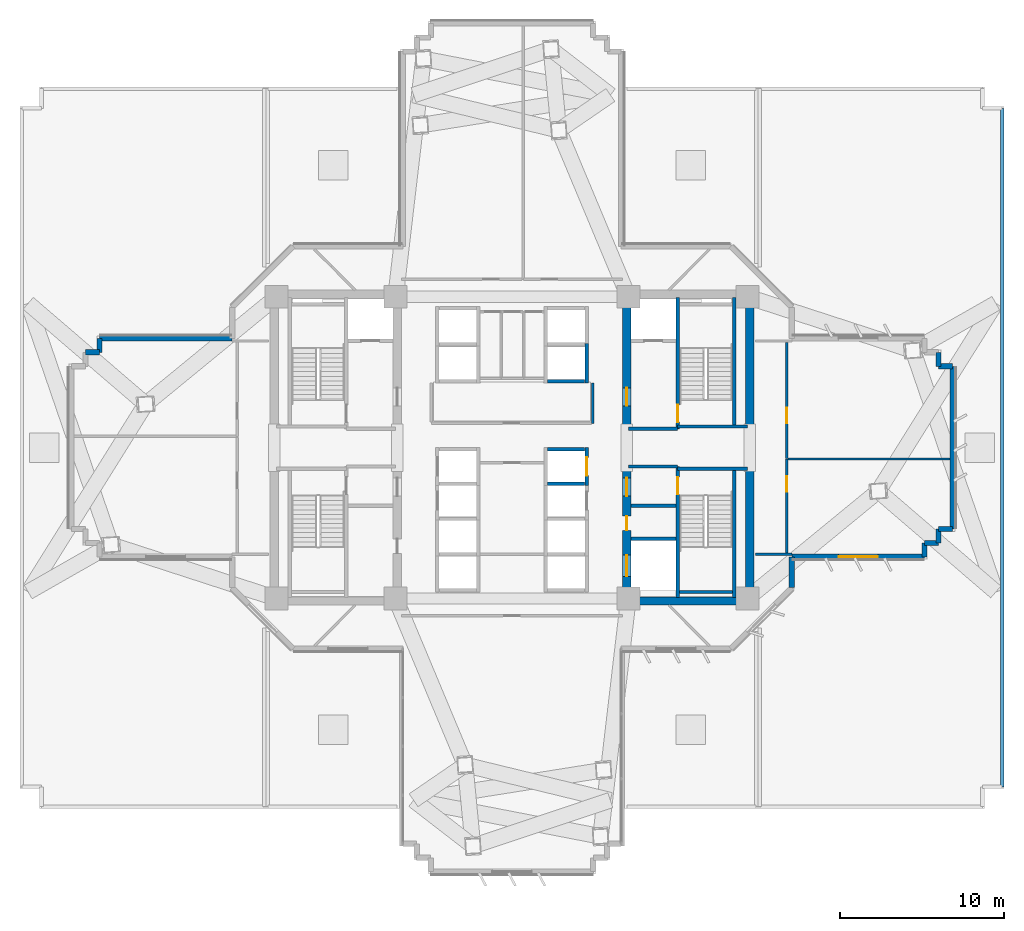
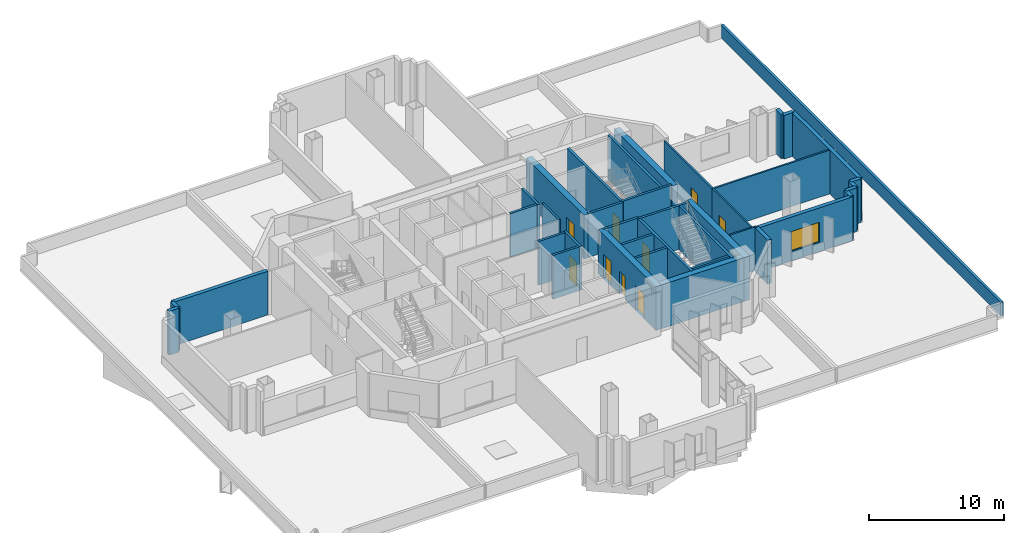
# One storey, part 9 of 15: 39 walls, 9 doors, 1 window, 10 openings.
"""IFC4 building model written with IfcOpenShell, lengths in metres."""

from ifc_helpers import new_model, si_unit, direction, frame, frame_2d, origin, place, context, subcontext, project, spatial, rectangle, extrude, source, transform, mapped, material, layer, layer_set, type_object, element, fill, save


model = new_model("IFC4")

# Units and contexts
model_context = context("Model", 3, precision=1e-05, world=origin(), true_north=direction((0.0, 1.0)))
body_context = subcontext(model_context, "Body", "Model", "MODEL_VIEW")
ifc_project = project(units=[si_unit("LENGTHUNIT", "METRE"), si_unit("AREAUNIT", "SQUARE_METRE"), si_unit("VOLUMEUNIT", "CUBIC_METRE"), si_unit("PLANEANGLEUNIT", "RADIAN"), si_unit("MASSUNIT", "GRAM", prefix="KILO")], contexts=[model_context])

# Site, building, storey
site_placement = place(None, origin())
site = spatial("IfcSite", under=ifc_project, at=site_placement, CompositionType="ELEMENT")
building_placement = place(site_placement, origin())
building = spatial("IfcBuilding", under=site, at=building_placement, Name="Zahravan Cultural Tower", CompositionType="ELEMENT")
storey_placement = place(building_placement, frame((0.0, 0.0, 29.10009765625)))
storey = spatial("IfcBuildingStorey", under=building, at=storey_placement, Name="L05", CompositionType="ELEMENT", Elevation=29.10009765625)

# Wall, openings, doors
ifc_material_1 = material(Name="Concrete C60/75", Category="concrete")
ifc_layer_1 = layer(ifc_material_1, 0.5)
ifc_layer_set_1 = layer_set([ifc_layer_1], Name="Concrete C60/75")
wall_type_1 = type_object("IfcWallType", Name="CW-SHEAR-500-C60", PredefinedType="SHEAR", material=ifc_layer_set_1)
wall_1_placement = place(storey_placement, frame((43.0, 17.39990234375, 0.0), z_axis=(0.0, 0.0, 1.0), x_axis=(0.0, 1.0, 0.0)))
wall_1 = element("IfcWall", 1, at=wall_1_placement, inside=storey, type_object=wall_type_1, Name="L05 Core Shear Wall CW-E-WS-L05", PredefinedType="SHEAR", context=body_context, shape_type="SweptSolid", body=[
    extrude(rectangle(XDim=8.550048828125, YDim=0.5, at=frame_2d((4.27490234375, 0.0))), origin(), (0.0, 0.0, 1.0), 3.949951171875),
])
opening_1_placement = place(wall_1_placement, frame((6.64990234375, 0.0, 0.0)))
opening_1 = element("IfcOpeningElement", 2, at=opening_1_placement, cuts=wall_1, Name="Opening D-L05-08", PredefinedType="OPENING", context=body_context, shape_type="SweptSolid", body=[
    extrude(rectangle(XDim=1.10009765625, YDim=2.199951171875, at=frame_2d((0.550048828125, 1.10009765625))), frame((0.0, 0.260009765625, 0.0), z_axis=(0.0, -1.0, 0.0), x_axis=(1.0, 0.0, 0.0)), (0.0, 0.0, 1.0), 0.52001953125),
])
opening_2_placement = place(wall_1_placement, frame((1.75, 0.0, 0.0)))
opening_2 = element("IfcOpeningElement", 3, at=opening_2_placement, cuts=wall_1, Name="Opening LD-L05-03", PredefinedType="OPENING", context=body_context, shape_type="SweptSolid", body=[
    extrude(rectangle(XDim=1.300048828125, YDim=2.199951171875, at=frame_2d((0.64990234375, 1.10009765625))), frame((0.0, 0.260009765625, 0.0), z_axis=(0.0, -1.0, 0.0), x_axis=(1.0, 0.0, 0.0)), (0.0, 0.0, 1.0), 0.52001953125),
])
opening_3_placement = place(wall_1_placement, frame((4.550048828125, 0.0, 0.0)))
opening_3 = element("IfcOpeningElement", 4, at=opening_3_placement, cuts=wall_1, Name="Opening D-L05-10", PredefinedType="OPENING", context=body_context, shape_type="SweptSolid", body=[
    extrude(rectangle(XDim=0.8798828125, YDim=2.10009765625, at=frame_2d((0.43994140625, 1.050048828125))), frame((0.0, 0.260009765625, 0.0), z_axis=(0.0, -1.0, 0.0), x_axis=(1.0, 0.0, 0.0)), (0.0, 0.0, 1.0), 0.52001953125),
])
ifc_material_2 = material(Name="Steel ASTM A572 Grade 50", Category="steel")
door_type_1 = type_object("IfcDoorType", Name="DR-LOBBY-1100", OperationType="NOTDEFINED", PredefinedType="DOOR", material=ifc_material_2)
shared_shape_1 = source(origin(), body_context, "Body", "SweptSolid", [
    extrude(rectangle(XDim=1.10009765625, YDim=2.199951171875, at=frame_2d((0.550048828125, 1.10009765625))), frame((0.0, 0.02490234375, 0.0), z_axis=(0.0, -1.0, 0.0), x_axis=(1.0, 0.0, 0.0)), (0.0, 0.0, 1.0), 0.050048828125),
])
door_1_placement = place(opening_1_placement, origin())
door_1 = element("IfcDoor", 5, at=door_1_placement, inside=storey, type_object=door_type_1, Name="L05 Door D-L05-08", OperationType="SINGLE_SWING_LEFT", OverallHeight=2.199951171875, OverallWidth=1.10009765625, PredefinedType="DOOR", context=body_context, shape_type="MappedRepresentation", body=[
    mapped(shared_shape_1, transform((0.0, 0.0, 0.0), x_axis=(1.0, 0.0, 0.0), y_axis=(0.0, 1.0, 0.0), z_axis=(0.0, 0.0, 1.0), scale=1.0)),
])
fill(opening_1, door_1)
door_type_2 = type_object("IfcDoorType", Name="DR-LIFT-1300", OperationType="DOUBLE_DOOR_SLIDING", PredefinedType="DOOR", material=ifc_material_2)
shared_shape_2 = source(origin(), body_context, "Body", "SweptSolid", [
    extrude(rectangle(XDim=1.300048828125, YDim=2.199951171875, at=frame_2d((0.64990234375, 1.10009765625))), frame((0.0, 0.02490234375, 0.0), z_axis=(0.0, -1.0, 0.0), x_axis=(1.0, 0.0, 0.0)), (0.0, 0.0, 1.0), 0.050048828125),
])
door_2_placement = place(opening_2_placement, origin())
door_2 = element("IfcDoor", 6, at=door_2_placement, inside=storey, type_object=door_type_2, Name="L05 Door LD-L05-03", OperationType="DOUBLE_DOOR_SLIDING", OverallHeight=2.199951171875, OverallWidth=1.300048828125, PredefinedType="DOOR", context=body_context, shape_type="MappedRepresentation", body=[
    mapped(shared_shape_2, transform((0.0, 0.0, 0.0), x_axis=(1.0, 0.0, 0.0), y_axis=(0.0, 1.0, 0.0), z_axis=(0.0, 0.0, 1.0), scale=1.0)),
])
fill(opening_2, door_2)
door_type_3 = type_object("IfcDoorType", Name="DR-SVC-880", OperationType="NOTDEFINED", PredefinedType="DOOR", material=ifc_material_2)
shared_shape_3 = source(origin(), body_context, "Body", "SweptSolid", [
    extrude(rectangle(XDim=0.8798828125, YDim=2.10009765625, at=frame_2d((0.43994140625, 1.050048828125))), frame((0.0, 0.02490234375, 0.0), z_axis=(0.0, -1.0, 0.0), x_axis=(1.0, 0.0, 0.0)), (0.0, 0.0, 1.0), 0.050048828125),
])
door_3_placement = place(opening_3_placement, origin())
door_3 = element("IfcDoor", 7, at=door_3_placement, inside=storey, type_object=door_type_3, Name="L05 Door D-L05-10", OperationType="SINGLE_SWING_LEFT", OverallHeight=2.10009765625, OverallWidth=0.8798828125, PredefinedType="DOOR", context=body_context, shape_type="MappedRepresentation", body=[
    mapped(shared_shape_3, transform((0.0, 0.0, 0.0), x_axis=(1.0, 0.0, 0.0), y_axis=(0.0, 1.0, 0.0), z_axis=(0.0, 0.0, 1.0), scale=1.0)),
])
fill(opening_3, door_3)

# Wall, opening, door
wall_2_placement = place(storey_placement, frame((43.0, 28.050048828125, 0.0), z_axis=(0.0, 0.0, 1.0), x_axis=(0.0, 1.0, 0.0)))
wall_2 = element("IfcWall", 8, at=wall_2_placement, inside=storey, type_object=wall_type_1, Name="L05 Core Shear Wall CW-E-WN-L05", PredefinedType="SHEAR", context=body_context, shape_type="SweptSolid", body=[
    extrude(rectangle(XDim=8.550048828125, YDim=0.5, at=frame_2d((4.27490234375, 0.0))), origin(), (0.0, 0.0, 1.0), 3.949951171875),
])
opening_4_placement = place(wall_2_placement, frame((1.5, 0.0, 0.0)))
opening_4 = element("IfcOpeningElement", 9, at=opening_4_placement, cuts=wall_2, Name="Opening D-L05-06", PredefinedType="OPENING", context=body_context, shape_type="SweptSolid", body=[
    extrude(rectangle(XDim=1.10009765625, YDim=2.199951171875, at=frame_2d((0.550048828125, 1.10009765625))), frame((0.0, 0.260009765625, 0.0), z_axis=(0.0, -1.0, 0.0), x_axis=(1.0, 0.0, 0.0)), (0.0, 0.0, 1.0), 0.52001953125),
])
door_4_placement = place(opening_4_placement, origin())
door_4 = element("IfcDoor", 10, at=door_4_placement, inside=storey, type_object=door_type_1, Name="L05 Door D-L05-06", OperationType="SINGLE_SWING_LEFT", OverallHeight=2.199951171875, OverallWidth=1.10009765625, PredefinedType="DOOR", context=body_context, shape_type="MappedRepresentation", body=[
    mapped(shared_shape_1, transform((0.0, 0.0, 0.0), x_axis=(1.0, 0.0, 0.0), y_axis=(0.0, 1.0, 0.0), z_axis=(0.0, 0.0, 1.0), scale=1.0)),
])
fill(opening_4, door_4)

# Wall, opening, window
ifc_material_3 = material(Name="Precast concrete C40/50", Category="concrete")
ifc_layer_2 = layer(ifc_material_3, 0.320068359375)
ifc_layer_set_2 = layer_set([ifc_layer_2], Name="Precast concrete C40/50")
wall_type_2 = type_object("IfcWallType", Name="EW-TC-320", PredefinedType="SOLIDWALL", material=ifc_layer_set_2)
wall_3_placement = place(storey_placement, frame((61.159912109375, 20.340087890625, 0.0), z_axis=(0.0, 0.0, 1.0), x_axis=(-1.0, 0.0, 0.0)))
wall_3 = element("IfcWall", 11, at=wall_3_placement, inside=storey, type_object=wall_type_2, Name="L05 Exterior Masonry Frame Wall 11", PredefinedType="SOLIDWALL", context=body_context, shape_type="SweptSolid", body=[
    extrude(rectangle(XDim=8.099853515625, YDim=0.320068359375, at=frame_2d((4.0498046875, 0.0))), origin(), (0.0, 0.0, 1.0), 3.949951171875),
])
opening_5_placement = place(wall_3_placement, frame((2.85009765625, 0.0, 0.85009765625)))
opening_5 = element("IfcOpeningElement", 12, at=opening_5_placement, cuts=wall_3, Name="Opening WN-01", PredefinedType="OPENING", context=body_context, shape_type="SweptSolid", body=[
    extrude(rectangle(XDim=2.39990234375, YDim=1.800048828125, at=frame_2d((1.199951171875, 0.89990234375))), frame((0.0, 0.169921875, 0.0), z_axis=(0.0, -1.0, 0.0), x_axis=(1.0, 0.0, 0.0)), (0.0, 0.0, 1.0), 0.340087890625),
])
ifc_material_4 = material(Name="Low-E solar-control double glazing", Category="glass")
window_type = type_object("IfcWindowType", Name="WN-REC-2400X1800", PartitioningType="DOUBLE_PANEL_VERTICAL", PredefinedType="WINDOW", material=ifc_material_4)
shared_shape_4 = source(origin(), body_context, "Body", "SweptSolid", [
    extrude(rectangle(XDim=2.39990234375, YDim=1.800048828125, at=frame_2d((1.199951171875, 0.89990234375))), frame((0.0, 0.030029296875, 0.0), z_axis=(0.0, -1.0, 0.0), x_axis=(1.0, 0.0, 0.0)), (0.0, 0.0, 1.0), 0.06005859375),
])
window_placement = place(opening_5_placement, origin())
window = element("IfcWindow", 13, at=window_placement, inside=storey, type_object=window_type, Name="L05 Recessed Solar Window 02", OverallHeight=1.800048828125, OverallWidth=2.39990234375, PartitioningType="DOUBLE_PANEL_VERTICAL", PredefinedType="WINDOW", context=body_context, shape_type="MappedRepresentation", body=[
    mapped(shared_shape_4, transform((0.0, 0.0, 0.0), x_axis=(1.0, 0.0, 0.0), y_axis=(0.0, 1.0, 0.0), z_axis=(0.0, 0.0, 1.0), scale=1.0)),
])
fill(opening_5, window)

# Wall, opening, door
ifc_material_5 = material(Name="Gypsum plasterboard partition")
ifc_layer_3 = layer(ifc_material_5, 0.139892578125)
ifc_layer_set_3 = layer_set([ifc_layer_3], Name="Gypsum plasterboard partition")
wall_type_3 = type_object("IfcWallType", Name="W-PART-140", PredefinedType="PARTITIONING", material=ifc_layer_set_3)
wall_4_placement = place(storey_placement, frame((52.75, 20.574951171875, 0.0), z_axis=(0.0, 0.0, 1.0), x_axis=(0.0, 1.0, 0.0)))
wall_4 = element("IfcWall", 14, at=wall_4_placement, inside=storey, type_object=wall_type_3, Name="L05 Interior Wall 085", PredefinedType="PARTITIONING", context=body_context, shape_type="SweptSolid", body=[
    extrude(rectangle(XDim=5.735107421875, YDim=0.139892578125, at=frame_2d((2.86767578125, 0.0))), origin(), (0.0, 0.0, 1.0), 3.949951171875),
])
opening_6_placement = place(wall_4_placement, frame((3.732421875, 0.0, 0.0)))
opening_6 = element("IfcOpeningElement", 15, at=opening_6_placement, cuts=wall_4, Name="Opening D-L05-16", PredefinedType="OPENING", context=body_context, shape_type="SweptSolid", body=[
    extrude(rectangle(XDim=0.949951171875, YDim=2.14990234375, at=frame_2d((0.47509765625, 1.074951171875))), frame((0.0, 0.079833984375, 0.0), z_axis=(0.0, -1.0, 0.0), x_axis=(1.0, 0.0, 0.0)), (0.0, 0.0, 1.0), 0.159912109375),
])
ifc_material_6 = material(Name="Anodised bronze-aluminium mullion", Category="aluminium")
door_type_4 = type_object("IfcDoorType", Name="DR-ROOM-950", OperationType="NOTDEFINED", PredefinedType="DOOR", material=ifc_material_6)
shared_shape_5 = source(origin(), body_context, "Body", "SweptSolid", [
    extrude(rectangle(XDim=0.949951171875, YDim=2.14990234375, at=frame_2d((0.47509765625, 1.074951171875))), frame((0.0, 0.02490234375, 0.0), z_axis=(0.0, -1.0, 0.0), x_axis=(1.0, 0.0, 0.0)), (0.0, 0.0, 1.0), 0.050048828125),
])
door_5_placement = place(opening_6_placement, origin())
door_5 = element("IfcDoor", 16, at=door_5_placement, inside=storey, type_object=door_type_4, Name="L05 Door D-L05-16", OperationType="SINGLE_SWING_LEFT", OverallHeight=2.14990234375, OverallWidth=0.949951171875, PredefinedType="DOOR", context=body_context, shape_type="MappedRepresentation", body=[
    mapped(shared_shape_5, transform((0.0, 0.0, 0.0), x_axis=(1.0, 0.0, 0.0), y_axis=(0.0, 1.0, 0.0), z_axis=(0.0, 0.0, 1.0), scale=1.0)),
])
fill(opening_6, door_5)

wall_5_placement = place(storey_placement, frame((52.75, 26.330078125, 0.0), z_axis=(0.0, 0.0, 1.0), x_axis=(-0.000137660459, 0.999999990525, 0.0)))
wall_5 = element("IfcWall", 17, at=wall_5_placement, inside=storey, type_object=wall_type_3, Name="L05 Interior Wall 090", PredefinedType="PARTITIONING", context=body_context, shape_type="SweptSolid", body=[
    extrude(rectangle(XDim=7.093994140625, YDim=0.139892578125, at=frame_2d((3.546875, 0.0))), origin(), (0.0, 0.0, 1.0), 3.949951171875),
])
opening_7_placement = place(wall_5_placement, frame((2.150390625, 0.0, 0.0)))
opening_7 = element("IfcOpeningElement", 18, at=opening_7_placement, cuts=wall_5, Name="Opening D-L05-17", PredefinedType="OPENING", context=body_context, shape_type="SweptSolid", body=[
    extrude(rectangle(XDim=0.949951171875, YDim=2.14990234375, at=frame_2d((0.47509765625, 1.074951171875))), frame((0.0, 0.079833984375, 0.0), z_axis=(0.0, -1.0, 0.0), x_axis=(1.0, 0.0, 0.0)), (0.0, 0.0, 1.0), 0.159912109375),
])
door_6_placement = place(opening_7_placement, origin())
door_6 = element("IfcDoor", 19, at=door_6_placement, inside=storey, type_object=door_type_4, Name="L05 Door D-L05-17", OperationType="SINGLE_SWING_RIGHT", OverallHeight=2.14990234375, OverallWidth=0.949951171875, PredefinedType="DOOR", context=body_context, shape_type="MappedRepresentation", body=[
    mapped(shared_shape_5, transform((0.0, 0.0, 0.0), x_axis=(1.0, 0.0, 0.0), y_axis=(0.0, 1.0, 0.0), z_axis=(0.0, 0.0, 1.0), scale=1.0)),
])
fill(opening_7, door_6)

ifc_material_7 = material(Name="Concrete C45/55", Category="concrete")
ifc_layer_4 = layer(ifc_material_7, 0.199951171875)
ifc_layer_set_4 = layer_set([ifc_layer_4], Name="Concrete C45/55")
wall_type_4 = type_object("IfcWallType", Name="W-SHAFT-200", PredefinedType="SOLIDWALL", material=ifc_layer_set_4)
wall_6_placement = place(storey_placement, frame((46.10009765625, 17.85009765625, 0.0), z_axis=(0.0, 0.0, 1.0), x_axis=(0.0, 1.0, 0.0)))
wall_6 = element("IfcWall", 20, at=wall_6_placement, inside=storey, type_object=wall_type_4, Name="L05 Interior Wall 007", PredefinedType="SOLIDWALL", context=body_context, shape_type="SweptSolid", body=[
    extrude(rectangle(XDim=8.0, YDim=0.199951171875, at=frame_2d((4.0, 0.0))), origin(), (0.0, 0.0, 1.0), 3.949951171875),
])
opening_8_placement = place(wall_6_placement, frame((6.300048828125, 0.0, 0.0)))
opening_8 = element("IfcOpeningElement", 21, at=opening_8_placement, cuts=wall_6, Name="Opening D-L05-03", PredefinedType="OPENING", context=body_context, shape_type="SweptSolid", body=[
    extrude(rectangle(XDim=1.050048828125, YDim=2.14990234375, at=frame_2d((0.52490234375, 1.074951171875))), frame((0.0, 0.10986328125, 0.0), z_axis=(0.0, -1.0, 0.0), x_axis=(1.0, 0.0, 0.0)), (0.0, 0.0, 1.0), 0.219970703125),
])
door_type_5 = type_object("IfcDoorType", Name="DR-STAIR-1050", OperationType="NOTDEFINED", PredefinedType="DOOR", material=ifc_material_2)
shared_shape_6 = source(origin(), body_context, "Body", "SweptSolid", [
    extrude(rectangle(XDim=1.050048828125, YDim=2.14990234375, at=frame_2d((0.52490234375, 1.074951171875))), frame((0.0, 0.02490234375, 0.0), z_axis=(0.0, -1.0, 0.0), x_axis=(1.0, 0.0, 0.0)), (0.0, 0.0, 1.0), 0.050048828125),
])
door_7_placement = place(opening_8_placement, origin())
door_7 = element("IfcDoor", 22, at=door_7_placement, inside=storey, type_object=door_type_5, Name="L05 Door D-L05-03", OperationType="SINGLE_SWING_RIGHT", OverallHeight=2.14990234375, OverallWidth=1.050048828125, PredefinedType="DOOR", context=body_context, shape_type="MappedRepresentation", body=[
    mapped(shared_shape_6, transform((0.0, 0.0, 0.0), x_axis=(1.0, 0.0, 0.0), y_axis=(0.0, 1.0, 0.0), z_axis=(0.0, 0.0, 1.0), scale=1.0)),
])
fill(opening_8, door_7)

wall_7_placement = place(storey_placement, frame((46.10009765625, 28.14990234375, 0.0), z_axis=(0.0, 0.0, 1.0), x_axis=(0.0, 1.0, 0.0)))
wall_7 = element("IfcWall", 23, at=wall_7_placement, inside=storey, type_object=wall_type_4, Name="L05 Interior Wall 008", PredefinedType="SOLIDWALL", context=body_context, shape_type="SweptSolid", body=[
    extrude(rectangle(XDim=8.0, YDim=0.199951171875, at=frame_2d((4.0, 0.0))), origin(), (0.0, 0.0, 1.0), 3.949951171875),
])
opening_9_placement = place(wall_7_placement, frame((0.39990234375, 0.0, 0.0)))
opening_9 = element("IfcOpeningElement", 24, at=opening_9_placement, cuts=wall_7, Name="Opening D-L05-02", PredefinedType="OPENING", context=body_context, shape_type="SweptSolid", body=[
    extrude(rectangle(XDim=1.050048828125, YDim=2.14990234375, at=frame_2d((0.52490234375, 1.074951171875))), frame((0.0, 0.10986328125, 0.0), z_axis=(0.0, -1.0, 0.0), x_axis=(1.0, 0.0, 0.0)), (0.0, 0.0, 1.0), 0.219970703125),
])
door_8_placement = place(opening_9_placement, origin())
door_8 = element("IfcDoor", 25, at=door_8_placement, inside=storey, type_object=door_type_5, Name="L05 Door D-L05-02", OperationType="SINGLE_SWING_LEFT", OverallHeight=2.14990234375, OverallWidth=1.050048828125, PredefinedType="DOOR", context=body_context, shape_type="MappedRepresentation", body=[
    mapped(shared_shape_6, transform((0.0, 0.0, 0.0), x_axis=(1.0, 0.0, 0.0), y_axis=(0.0, 1.0, 0.0), z_axis=(0.0, 0.0, 1.0), scale=1.0)),
])
fill(opening_9, door_8)

wall_8_placement = place(storey_placement, frame((40.550048828125, 24.699951171875, 0.0), z_axis=(0.0, 0.0, 1.0), x_axis=(0.0, 1.0, 0.0)))
wall_8 = element("IfcWall", 26, at=wall_8_placement, inside=storey, type_object=wall_type_4, Name="L05 Interior Wall 061", PredefinedType="SOLIDWALL", context=body_context, shape_type="SweptSolid", body=[
    extrude(rectangle(XDim=2.300048828125, YDim=0.199951171875, at=frame_2d((1.14990234375, 0.0))), origin(), (0.0, 0.0, 1.0), 3.949951171875),
])
opening_10_placement = place(wall_8_placement, frame((0.60009765625, 0.0, 0.0)))
opening_10 = element("IfcOpeningElement", 27, at=opening_10_placement, cuts=wall_8, Name="Opening LD-L05-06", PredefinedType="OPENING", context=body_context, shape_type="SweptSolid", body=[
    extrude(rectangle(XDim=1.10009765625, YDim=2.14990234375, at=frame_2d((0.550048828125, 1.074951171875))), frame((0.0, 0.10986328125, 0.0), z_axis=(0.0, -1.0, 0.0), x_axis=(1.0, 0.0, 0.0)), (0.0, 0.0, 1.0), 0.219970703125),
])
door_type_6 = type_object("IfcDoorType", Name="DR-LIFT-1100", OperationType="DOUBLE_DOOR_SLIDING", PredefinedType="DOOR", material=ifc_material_2)
shared_shape_7 = source(origin(), body_context, "Body", "SweptSolid", [
    extrude(rectangle(XDim=1.10009765625, YDim=2.14990234375, at=frame_2d((0.550048828125, 1.074951171875))), frame((0.0, 0.02490234375, 0.0), z_axis=(0.0, -1.0, 0.0), x_axis=(1.0, 0.0, 0.0)), (0.0, 0.0, 1.0), 0.050048828125),
])
door_9_placement = place(opening_10_placement, origin())
door_9 = element("IfcDoor", 28, at=door_9_placement, inside=storey, type_object=door_type_6, Name="L05 Door LD-L05-06", OperationType="DOUBLE_DOOR_SLIDING", OverallHeight=2.14990234375, OverallWidth=1.10009765625, PredefinedType="DOOR", context=body_context, shape_type="MappedRepresentation", body=[
    mapped(shared_shape_7, transform((0.0, 0.0, 0.0), x_axis=(1.0, 0.0, 0.0), y_axis=(0.0, 1.0, 0.0), z_axis=(0.0, 0.0, 1.0), scale=1.0)),
])
fill(opening_10, door_9)

# Walls
shared_shape_8 = source(origin(), body_context, "Body", "SweptSolid", [
    extrude(rectangle(XDim=8.550048828125, YDim=0.5, at=frame_2d((4.27490234375, 0.0))), origin(), (0.0, 0.0, 1.0), 3.949951171875),
])
for number, where, z_axis, x_axis, name in (
    (29, (50.5, 17.39990234375, 0.0), (0.0, 0.0, 1.0), (0.0, 1.0, 0.0), "L05 Core Shear Wall CW-E-ES-L05"),
    (30, (50.5, 28.050048828125, 0.0), (0.0, 0.0, 1.0), (0.0, 1.0, 0.0), "L05 Core Shear Wall CW-E-EN-L05"),
):
    element("IfcWall", number, at=place(storey_placement, frame(where, z_axis=z_axis, x_axis=x_axis)), inside=storey, type_object=wall_type_1, Name=name, PredefinedType="SHEAR", context=body_context, shape_type="MappedRepresentation", body=[
        mapped(shared_shape_8, transform((0.0, 0.0, 0.0), x_axis=(1.0, 0.0, 0.0), y_axis=(0.0, 1.0, 0.0), z_axis=(0.0, 0.0, 1.0), scale=1.0)),
    ])
shared_shape_9 = source(origin(), body_context, "Body", "SweptSolid", [
    extrude(rectangle(XDim=7.0, YDim=0.5, at=frame_2d((3.5, 0.0))), origin(), (0.0, 0.0, 1.0), 3.949951171875),
])
wall_9_placement = place(storey_placement, frame((43.25, 17.64990234375, 0.0), z_axis=(0.0, 0.0, 1.0), x_axis=(1.0, 0.0, 0.0)))
element("IfcWall", 31, at=wall_9_placement, inside=storey, type_object=wall_type_1, Name="L05 Core Shear Wall CW-E-S-L05", PredefinedType="SHEAR", context=body_context, shape_type="MappedRepresentation", body=[
    mapped(shared_shape_9, transform((0.0, 0.0, 0.0), x_axis=(1.0, 0.0, 0.0), y_axis=(0.0, 1.0, 0.0), z_axis=(0.0, 0.0, 1.0), scale=1.0)),
])
ifc_layer_5 = layer(ifc_material_3, 0.219970703125)
ifc_layer_set_5 = layer_set([ifc_layer_5], Name="Precast concrete C40/50")
wall_type_5 = type_object("IfcWallType", Name="EW-PARAPET-220", PredefinedType="PARAPET", material=ifc_layer_set_5)
shared_shape_10 = source(origin(), body_context, "Body", "SweptSolid", [
    extrude(rectangle(XDim=41.3798828125, YDim=0.219970703125, at=frame_2d((20.68994140625, 0.0))), origin(), (0.0, 0.0, 1.0), 1.199951171875),
])
wall_10_placement = place(storey_placement, frame((65.889892578125, 47.68994140625, 0.0), z_axis=(0.0, 0.0, 1.0), x_axis=(0.0, -1.0, 0.0)))
element("IfcWall", 32, at=wall_10_placement, inside=storey, type_object=wall_type_5, Name="L05 Setback Roof Parapet 7", PredefinedType="PARAPET", context=body_context, shape_type="MappedRepresentation", body=[
    mapped(shared_shape_10, transform((0.0, 0.0, 0.0), x_axis=(1.0, 0.0, 0.0), y_axis=(0.0, 1.0, 0.0), z_axis=(0.0, 0.0, 1.0), scale=1.0)),
])
shared_shape_11 = source(origin(), body_context, "Body", "SweptSolid", [
    extrude(rectangle(XDim=0.849853515625, YDim=0.320068359375, at=frame_2d((0.4248046875, 0.0))), origin(), (0.0, 0.0, 1.0), 3.949951171875),
])
for number, where, z_axis, x_axis, name in (
    (33, (61.159912109375, 21.18994140625, 0.0), (0.0, 0.0, 1.0), (0.0, -1.0, 0.0), "L05 Exterior Masonry Frame Wall 10"),
    (34, (10.840087890625, 32.81005859375, 0.0), (0.0, 0.0, 1.0), (0.0, 1.0, 0.0), "L05 Exterior Masonry Frame Wall 36"),
):
    element("IfcWall", number, at=place(storey_placement, frame(where, z_axis=z_axis, x_axis=x_axis)), inside=storey, type_object=wall_type_2, Name=name, PredefinedType="SOLIDWALL", context=body_context, shape_type="MappedRepresentation", body=[
        mapped(shared_shape_11, transform((0.0, 0.0, 0.0), x_axis=(1.0, 0.0, 0.0), y_axis=(0.0, 1.0, 0.0), z_axis=(0.0, 0.0, 1.0), scale=1.0)),
    ])
shared_shape_12 = source(origin(), body_context, "Body", "SweptSolid", [
    extrude(rectangle(XDim=0.85009765625, YDim=0.320068359375, at=frame_2d((0.425048828125, 0.0))), origin(), (0.0, 0.0, 1.0), 3.949951171875),
])
for number, where, z_axis, x_axis, name in (
    (35, (62.010009765625, 32.81005859375, 0.0), (0.0, 0.0, 1.0), (0.0, -1.0, 0.0), "L05 Exterior Masonry Frame Wall 04"),
    (36, (62.010009765625, 31.9599609375, 0.0), (0.0, 0.0, 1.0), (1.0, 0.0, 0.0), "L05 Exterior Masonry Frame Wall 05"),
    (37, (62.860107421875, 22.0400390625, 0.0), (0.0, 0.0, 1.0), (-1.0, 0.0, 0.0), "L05 Exterior Masonry Frame Wall 07"),
    (38, (62.010009765625, 22.0400390625, 0.0), (0.0, 0.0, 1.0), (0.0, -1.0, 0.0), "L05 Exterior Masonry Frame Wall 08"),
    (39, (62.010009765625, 21.18994140625, 0.0), (0.0, 0.0, 1.0), (-1.0, 0.0, 0.0), "L05 Exterior Masonry Frame Wall 09"),
    (40, (9.989990234375, 32.81005859375, 0.0), (0.0, 0.0, 1.0), (1.0, 0.0, 0.0), "L05 Exterior Masonry Frame Wall 35"),
):
    element("IfcWall", number, at=place(storey_placement, frame(where, z_axis=z_axis, x_axis=x_axis)), inside=storey, type_object=wall_type_2, Name=name, PredefinedType="SOLIDWALL", context=body_context, shape_type="MappedRepresentation", body=[
        mapped(shared_shape_12, transform((0.0, 0.0, 0.0), x_axis=(1.0, 0.0, 0.0), y_axis=(0.0, 1.0, 0.0), z_axis=(0.0, 0.0, 1.0), scale=1.0)),
    ])
shared_shape_13 = source(origin(), body_context, "Body", "SweptSolid", [
    extrude(rectangle(XDim=9.919921875, YDim=0.320068359375, at=frame_2d((4.9599609375, 0.0))), origin(), (0.0, 0.0, 1.0), 3.949951171875),
])
wall_11_placement = place(storey_placement, frame((62.860107421875, 31.9599609375, 0.0), z_axis=(0.0, 0.0, 1.0), x_axis=(0.0, -1.0, 0.0)))
element("IfcWall", 41, at=wall_11_placement, inside=storey, type_object=wall_type_2, Name="L05 Exterior Masonry Frame Wall 06", PredefinedType="SOLIDWALL", context=body_context, shape_type="MappedRepresentation", body=[
    mapped(shared_shape_13, transform((0.0, 0.0, 0.0), x_axis=(1.0, 0.0, 0.0), y_axis=(0.0, 1.0, 0.0), z_axis=(0.0, 0.0, 1.0), scale=1.0)),
])
shared_shape_14 = source(origin(), body_context, "Body", "SweptSolid", [
    extrude(rectangle(XDim=1.882080078125, YDim=0.320068359375, at=frame_2d((0.94091796875, 0.0))), origin(), (0.0, 0.0, 1.0), 3.949951171875),
])
wall_12_placement = place(storey_placement, frame((53.06005859375, 20.340087890625, 0.0), z_axis=(0.0, 0.0, 1.0), x_axis=(0.0, -1.0, 0.0)))
element("IfcWall", 42, at=wall_12_placement, inside=storey, type_object=wall_type_2, Name="L05 Exterior Masonry Frame Wall 12", PredefinedType="SOLIDWALL", context=body_context, shape_type="MappedRepresentation", body=[
    mapped(shared_shape_14, transform((0.0, 0.0, 0.0), x_axis=(1.0, 0.0, 0.0), y_axis=(0.0, 1.0, 0.0), z_axis=(0.0, 0.0, 1.0), scale=1.0)),
])
shared_shape_15 = source(origin(), body_context, "Body", "SweptSolid", [
    extrude(rectangle(XDim=8.099853515625, YDim=0.320068359375, at=frame_2d((4.0498046875, 0.0))), origin(), (0.0, 0.0, 1.0), 3.949951171875),
])
wall_13_placement = place(storey_placement, frame((10.840087890625, 33.659912109375, 0.0), z_axis=(0.0, 0.0, 1.0), x_axis=(1.0, 0.0, 0.0)))
element("IfcWall", 43, at=wall_13_placement, inside=storey, type_object=wall_type_2, Name="L05 Exterior Masonry Frame Wall 37", PredefinedType="SOLIDWALL", context=body_context, shape_type="MappedRepresentation", body=[
    mapped(shared_shape_15, transform((0.0, 0.0, 0.0), x_axis=(1.0, 0.0, 0.0), y_axis=(0.0, 1.0, 0.0), z_axis=(0.0, 0.0, 1.0), scale=1.0)),
])
shared_shape_16 = source(origin(), body_context, "Body", "SweptSolid", [
    extrude(rectangle(XDim=7.869873046875, YDim=0.199951171875, at=frame_2d((3.93505859375, 0.0))), origin(), (0.0, 0.0, 1.0), 3.949951171875),
])
for number, where, z_axis, x_axis, name in (
    (44, (49.550048828125, 17.85009765625, 0.0), (0.0, 0.0, 1.0), (0.0, 1.0, 0.0), "L05 Interior Wall 003"),
    (45, (49.550048828125, 28.280029296875, 0.0), (0.0, 0.0, 1.0), (0.0, 1.0, 0.0), "L05 Interior Wall 004"),
):
    element("IfcWall", number, at=place(storey_placement, frame(where, z_axis=z_axis, x_axis=x_axis)), inside=storey, type_object=wall_type_4, Name=name, PredefinedType="SOLIDWALL", context=body_context, shape_type="MappedRepresentation", body=[
        mapped(shared_shape_16, transform((0.0, 0.0, 0.0), x_axis=(1.0, 0.0, 0.0), y_axis=(0.0, 1.0, 0.0), z_axis=(0.0, 0.0, 1.0), scale=1.0)),
    ])
shared_shape_17 = source(origin(), body_context, "Body", "SweptSolid", [
    extrude(rectangle(XDim=4.25, YDim=0.199951171875, at=frame_2d((2.125, 0.0))), origin(), (0.0, 0.0, 1.0), 3.949951171875),
])
for number, where, z_axis, x_axis, name in (
    (46, (46.10009765625, 25.715087890625, 0.0), (0.0, 0.0, 1.0), (1.0, 0.0, 0.0), "L05 Interior Wall 014"),
    (47, (46.10009765625, 28.284912109375, 0.0), (0.0, 0.0, 1.0), (1.0, 0.0, 0.0), "L05 Interior Wall 016"),
):
    element("IfcWall", number, at=place(storey_placement, frame(where, z_axis=z_axis, x_axis=x_axis)), inside=storey, type_object=wall_type_4, Name=name, PredefinedType="SOLIDWALL", context=body_context, shape_type="MappedRepresentation", body=[
        mapped(shared_shape_17, transform((0.0, 0.0, 0.0), x_axis=(1.0, 0.0, 0.0), y_axis=(0.0, 1.0, 0.0), z_axis=(0.0, 0.0, 1.0), scale=1.0)),
    ])
shared_shape_18 = source(origin(), body_context, "Body", "SweptSolid", [
    extrude(rectangle(XDim=3.0, YDim=0.199951171875, at=frame_2d((1.5, 0.0))), origin(), (0.0, 0.0, 1.0), 3.949951171875),
])
for number, where, z_axis, x_axis, name in (
    (48, (43.10009765625, 25.85009765625, 0.0), (0.0, 0.0, 1.0), (1.0, 0.0, 0.0), "L05 Interior Wall 013"),
    (49, (43.10009765625, 28.14990234375, 0.0), (0.0, 0.0, 1.0), (1.0, 0.0, 0.0), "L05 Interior Wall 015"),
):
    element("IfcWall", number, at=place(storey_placement, frame(where, z_axis=z_axis, x_axis=x_axis)), inside=storey, type_object=wall_type_4, Name=name, PredefinedType="SOLIDWALL", context=body_context, shape_type="MappedRepresentation", body=[
        mapped(shared_shape_18, transform((0.0, 0.0, 0.0), x_axis=(1.0, 0.0, 0.0), y_axis=(0.0, 1.0, 0.0), z_axis=(0.0, 0.0, 1.0), scale=1.0)),
    ])
shared_shape_19 = source(origin(), body_context, "Body", "SweptSolid", [
    extrude(rectangle(XDim=3.25, YDim=0.199951171875, at=frame_2d((1.625, 0.0))), origin(), (0.0, 0.0, 1.0), 3.949951171875),
])
wall_14_placement = place(storey_placement, frame((46.199951171875, 18.199951171875, 0.0), z_axis=(0.0, 0.0, 1.0), x_axis=(1.0, 0.0, 0.0)))
element("IfcWall", 50, at=wall_14_placement, inside=storey, type_object=wall_type_4, Name="L05 Interior Wall 020", PredefinedType="SOLIDWALL", context=body_context, shape_type="MappedRepresentation", body=[
    mapped(shared_shape_19, transform((0.0, 0.0, 0.0), x_axis=(1.0, 0.0, 0.0), y_axis=(0.0, 1.0, 0.0), z_axis=(0.0, 0.0, 1.0), scale=1.0)),
])
shared_shape_20 = source(origin(), body_context, "Body", "SweptSolid", [
    extrude(rectangle(XDim=2.75, YDim=0.199951171875, at=frame_2d((1.375, 0.0))), origin(), (0.0, 0.0, 1.0), 3.949951171875),
])
for number, where, z_axis, x_axis, name in (
    (51, (43.25, 23.449951171875, 0.0), (0.0, 0.0, 1.0), (1.0, 0.0, 0.0), "L05 Interior Wall 024"),
    (52, (43.25, 21.449951171875, 0.0), (0.0, 0.0, 1.0), (1.0, 0.0, 0.0), "L05 Interior Wall 025"),
):
    element("IfcWall", number, at=place(storey_placement, frame(where, z_axis=z_axis, x_axis=x_axis)), inside=storey, type_object=wall_type_4, Name=name, PredefinedType="SOLIDWALL", context=body_context, shape_type="MappedRepresentation", body=[
        mapped(shared_shape_20, transform((0.0, 0.0, 0.0), x_axis=(1.0, 0.0, 0.0), y_axis=(0.0, 1.0, 0.0), z_axis=(0.0, 0.0, 1.0), scale=1.0)),
    ])
shared_shape_21 = source(origin(), body_context, "Body", "SweptSolid", [
    extrude(rectangle(XDim=2.400146484375, YDim=0.199951171875, at=frame_2d((1.2001953125, 0.0))), origin(), (0.0, 0.0, 1.0), 3.949951171875),
])
wall_15_placement = place(storey_placement, frame((40.550048828125, 30.949951171875, 0.0), z_axis=(0.0, 0.0, 1.0), x_axis=(0.0, 1.0, 0.0)))
element("IfcWall", 53, at=wall_15_placement, inside=storey, type_object=wall_type_4, Name="L05 Interior Wall 038", PredefinedType="SOLIDWALL", context=body_context, shape_type="MappedRepresentation", body=[
    mapped(shared_shape_21, transform((0.0, 0.0, 0.0), x_axis=(1.0, 0.0, 0.0), y_axis=(0.0, 1.0, 0.0), z_axis=(0.0, 0.0, 1.0), scale=1.0)),
])
shared_shape_22 = source(origin(), body_context, "Body", "SweptSolid", [
    extrude(rectangle(XDim=2.260009765625, YDim=0.199951171875, at=frame_2d((1.1298828125, 0.0))), origin(), (0.0, 0.0, 1.0), 3.949951171875),
])
for number, where, z_axis, x_axis, name in (
    (54, (38.169921875, 31.050048828125, 0.0), (0.0, 0.0, 1.0), (1.0, 0.0, 0.0), "L05 Interior Wall 039"),
    (55, (38.169921875, 24.800048828125, 0.0), (0.0, 0.0, 1.0), (1.0, 0.0, 0.0), "L05 Interior Wall 062"),
    (56, (38.169921875, 26.89990234375, 0.0), (0.0, 0.0, 1.0), (1.0, 0.0, 0.0), "L05 Interior Wall 063"),
):
    element("IfcWall", number, at=place(storey_placement, frame(where, z_axis=z_axis, x_axis=x_axis)), inside=storey, type_object=wall_type_4, Name=name, PredefinedType="SOLIDWALL", context=body_context, shape_type="MappedRepresentation", body=[
        mapped(shared_shape_22, transform((0.0, 0.0, 0.0), x_axis=(1.0, 0.0, 0.0), y_axis=(0.0, 1.0, 0.0), z_axis=(0.0, 0.0, 1.0), scale=1.0)),
    ])
shared_shape_23 = source(origin(), body_context, "Body", "SweptSolid", [
    extrude(rectangle(XDim=2.469970703125, YDim=0.139892578125, at=frame_2d((1.23486328125, 0.0))), origin(), (0.0, 0.0, 1.0), 3.949951171875),
])
wall_16_placement = place(storey_placement, frame((40.919921875, 30.949951171875, 0.0), z_axis=(0.0, 0.0, 1.0), x_axis=(0.0, -1.0, 0.0)))
element("IfcWall", 57, at=wall_16_placement, inside=storey, type_object=wall_type_3, Name="L05 Interior Wall 076", PredefinedType="PARTITIONING", context=body_context, shape_type="MappedRepresentation", body=[
    mapped(shared_shape_23, transform((0.0, 0.0, 0.0), x_axis=(1.0, 0.0, 0.0), y_axis=(0.0, 1.0, 0.0), z_axis=(0.0, 0.0, 1.0), scale=1.0)),
])
shared_shape_24 = source(origin(), body_context, "Body", "SweptSolid", [
    extrude(rectangle(XDim=2.21240234375, YDim=0.139892578125, at=frame_2d((1.106201171875, 0.0))), origin(), (0.0, 0.0, 1.0), 3.949951171875),
])
wall_17_placement = place(storey_placement, frame((50.8525390625, 20.50244140625, 0.0), z_axis=(0.0, 0.0, 1.0), x_axis=(0.999999123234, -0.00132420983, 0.0)))
element("IfcWall", 58, at=wall_17_placement, inside=storey, type_object=wall_type_3, Name="L05 Interior Wall 084", PredefinedType="PARTITIONING", context=body_context, shape_type="MappedRepresentation", body=[
    mapped(shared_shape_24, transform((0.0, 0.0, 0.0), x_axis=(1.0, 0.0, 0.0), y_axis=(0.0, 1.0, 0.0), z_axis=(0.0, 0.0, 1.0), scale=1.0)),
])
shared_shape_25 = source(origin(), body_context, "Body", "SweptSolid", [
    extrude(rectangle(XDim=9.8701171875, YDim=0.139892578125, at=frame_2d((4.93505859375, 0.0))), origin(), (0.0, 0.0, 1.0), 3.949951171875),
])
wall_18_placement = place(storey_placement, frame((52.824951171875, 26.31005859375, 0.0), z_axis=(0.0, 0.0, 1.0), x_axis=(1.0, 0.0, 0.0)))
element("IfcWall", 59, at=wall_18_placement, inside=storey, type_object=wall_type_3, Name="L05 Interior Wall 086", PredefinedType="PARTITIONING", context=body_context, shape_type="MappedRepresentation", body=[
    mapped(shared_shape_25, transform((0.0, 0.0, 0.0), x_axis=(1.0, 0.0, 0.0), y_axis=(0.0, 1.0, 0.0), z_axis=(0.0, 0.0, 1.0), scale=1.0)),
])

save(model, "model.ifc")
